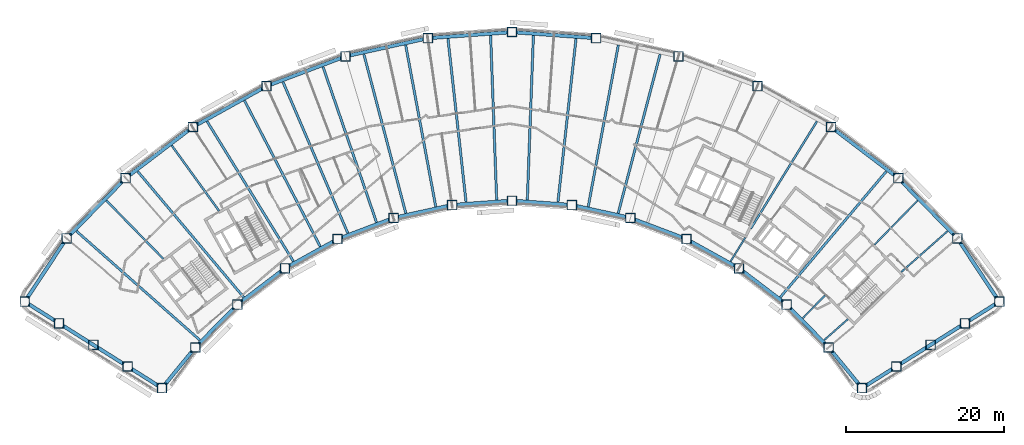
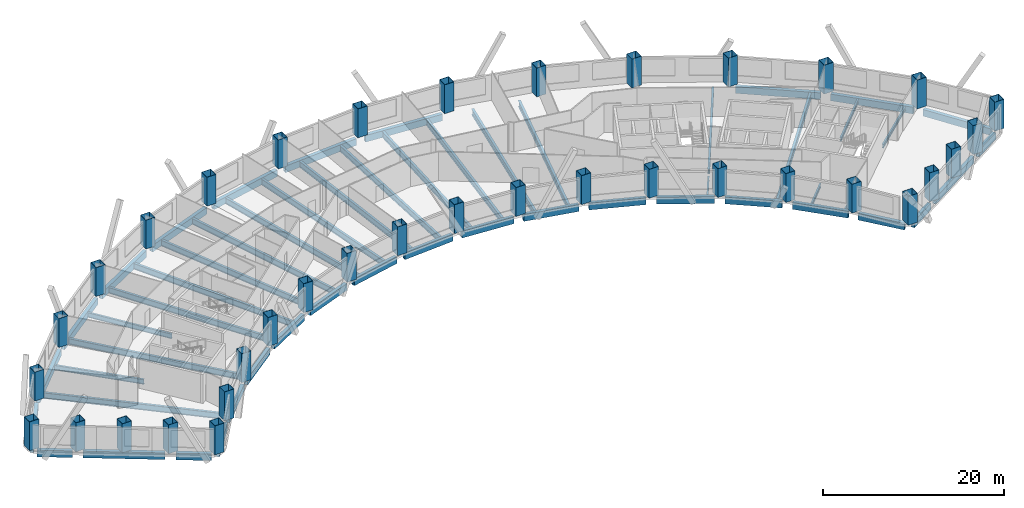
# One storey, part 1 of 12: 54 beams, 36 columns.
"""IFC4 building model written with IfcOpenShell, lengths in metres."""

from ifc_helpers import new_model, si_unit, direction, frame, origin, origin_2d, place, context, subcontext, project, spatial, hollow_rectangle, i_section, extrude, material, material_profile, profile_set, type_object, element, save


model = new_model("IFC4")

# Units and contexts
model_context = context("Model", 3, precision=1e-05, world=origin(), true_north=direction((0.0, 1.0)))
body_context = subcontext(model_context, "Body", "Model", "MODEL_VIEW")
ifc_project = project(units=[si_unit("LENGTHUNIT", "METRE"), si_unit("AREAUNIT", "SQUARE_METRE"), si_unit("VOLUMEUNIT", "CUBIC_METRE"), si_unit("PLANEANGLEUNIT", "RADIAN"), si_unit("MASSUNIT", "GRAM", prefix="KILO")], contexts=[model_context])

# Site, building, storey
site_placement = place(None, origin())
site = spatial("IfcSite", under=ifc_project, at=site_placement, CompositionType="ELEMENT")
building_placement = place(site_placement, origin())
building = spatial("IfcBuilding", under=site, at=building_placement, Name="Tuul Gate Civic Tower", CompositionType="ELEMENT")
storey_placement = place(building_placement, frame((0.0, 0.0, 82.199951171875)))
storey = spatial("IfcBuildingStorey", under=building, at=storey_placement, Name="Level 18", CompositionType="ELEMENT", Elevation=82.199951171875)

# Columns
ifc_material_1 = material(Name="Steel S355", Category="steel")
ifc_material_profile_1 = material_profile(ifc_material_1, hollow_rectangle(XDim=1.199951171875, YDim=1.199951171875, WallThickness=0.0400390625, at=origin_2d()), Name="BOX1200x1200x40")
ifc_profile_set_1 = profile_set([ifc_material_profile_1], Name="Steel S355")
column_type = type_object("IfcColumnType", Name="STR-COLUMN-BOX1200x1200x40", PredefinedType="COLUMN", material=ifc_profile_set_1)
for number, where, z_axis, x_axis, name in (
    (1, (66.47900390625, -15.4208984375, 0.0), (0.0, 0.0, 1.0), (1.0, 0.0, 0.0), "Column"),
    (2, (61.179931640625, -7.408935546875, 0.0), (0.0, 0.0, 1.0), (1.0, 0.0, 0.0), "Column"),
    (3, (53.7060546875, 0.216064453125, 0.0), (0.0, 0.0, 1.0), (1.0, 0.0, 0.0), "Column"),
    (4, (45.2109375, 6.68408203125, 0.0), (0.0, 0.0, 1.0), (1.0, 0.0, 0.0), "Column"),
    (5, (35.8720703125, 11.861083984375, 0.0), (0.0, 0.0, 1.0), (1.0, 0.0, 0.0), "Column"),
    (6, (25.885009765625, 15.636962890625, 0.0), (0.0, 0.0, 1.0), (1.0, 0.0, 0.0), "Column"),
    (7, (15.4580078125, 17.93505859375, 0.0), (0.0, 0.0, 1.0), (1.0, 0.0, 0.0), "Column"),
    (8, (4.80810546875, 18.70703125, 0.0), (0.0, 0.0, 1.0), (1.0, 0.0, 0.0), "Column"),
    (9, (-5.841064453125, 17.93505859375, 0.0), (0.0, 0.0, 1.0), (1.0, 0.0, 0.0), "Column"),
    (10, (-16.26806640625, 15.636962890625, 0.0), (0.0, 0.0, 1.0), (1.0, 0.0, 0.0), "Column"),
    (11, (-26.2548828125, 11.861083984375, 0.0), (0.0, 0.0, 1.0), (1.0, 0.0, 0.0), "Column"),
    (12, (-35.593994140625, 6.68408203125, 0.0), (0.0, 0.0, 1.0), (1.0, 0.0, 0.0), "Column"),
    (13, (-44.089111328125, 0.216064453125, 0.0), (0.0, 0.0, 1.0), (1.0, 0.0, 0.0), "Column"),
    (14, (-51.56396484375, -7.408935546875, 0.0), (0.0, 0.0, 1.0), (1.0, 0.0, 0.0), "Column"),
    (15, (-56.863037109375, -15.4208984375, 0.0), (0.0, 0.0, 1.0), (1.0, 0.0, 0.0), "Column"),
    (16, (-52.52001953125, -18.156005859375, 0.0), (0.0, 0.0, 1.0), (1.0, 0.0, 0.0), "Column"),
    (17, (-48.177978515625, -20.89111328125, 0.0), (0.0, 0.0, 1.0), (1.0, 0.0, 0.0), "Column"),
    (18, (-43.8349609375, -23.625, 0.0), (0.0, 0.0, 1.0), (1.0, 0.0, 0.0), "Column"),
    (19, (-39.492919921875, -26.360107421875, 0.0), (0.0, 0.0, 1.0), (1.0, 0.0, 0.0), "Column"),
    (20, (-35.27294921875, -21.218017578125, 0.0), (0.0, 0.0, 1.0), (1.0, 0.0, 0.0), "Column"),
    (21, (-29.9580078125, -15.7958984375, 0.0), (0.0, 0.0, 1.0), (1.0, 0.0, 0.0), "Column"),
    (22, (-23.91796875, -11.197021484375, 0.0), (0.0, 0.0, 1.0), (1.0, 0.0, 0.0), "Column"),
    (23, (-17.278076171875, -7.51708984375, 0.0), (0.0, 0.0, 1.0), (1.0, 0.0, 0.0), "Column"),
    (24, (-10.177001953125, -4.8310546875, 0.0), (0.0, 0.0, 1.0), (1.0, 0.0, 0.0), "Column"),
    (25, (-2.763916015625, -3.197998046875, 0.0), (0.0, 0.0, 1.0), (1.0, 0.0, 0.0), "Column"),
    (26, (4.80810546875, -2.64892578125, 0.0), (0.0, 0.0, 1.0), (1.0, 0.0, 0.0), "Column"),
    (27, (12.3798828125, -3.197998046875, 0.0), (0.0, 0.0, 1.0), (1.0, 0.0, 0.0), "Column"),
    (28, (19.7939453125, -4.8310546875, 0.0), (0.0, 0.0, 1.0), (1.0, 0.0, 0.0), "Column"),
    (29, (26.89501953125, -7.51708984375, 0.0), (0.0, 0.0, 1.0), (1.0, 0.0, 0.0), "Column"),
    (30, (33.534912109375, -11.197021484375, 0.0), (0.0, 0.0, 1.0), (1.0, 0.0, 0.0), "Column"),
    (31, (39.574951171875, -15.7958984375, 0.0), (0.0, 0.0, 1.0), (1.0, 0.0, 0.0), "Column"),
    (32, (44.888916015625, -21.218017578125, 0.0), (0.0, 0.0, 1.0), (1.0, 0.0, 0.0), "Column"),
    (33, (49.10888671875, -26.360107421875, 0.0), (0.0, 0.0, 1.0), (1.0, 0.0, 0.0), "Column"),
    (34, (53.451904296875, -23.625, 0.0), (0.0, 0.0, 1.0), (1.0, 0.0, 0.0), "Column"),
    (35, (57.7939453125, -20.89111328125, 0.0), (0.0, 0.0, 1.0), (1.0, 0.0, 0.0), "Column"),
    (36, (62.136962890625, -18.156005859375, 0.0), (0.0, 0.0, 1.0), (1.0, 0.0, 0.0), "Column"),
):
    element("IfcColumn", number, at=place(storey_placement, frame(where, z_axis=z_axis, x_axis=x_axis)), inside=storey, type_object=column_type, Name=name, PredefinedType="COLUMN", context=body_context, shape_type="SweptSolid", body=[
        extrude(hollow_rectangle(XDim=1.199951171875, YDim=1.199951171875, WallThickness=0.0400390625, at=origin_2d()), origin(), (0.0, 0.0, 1.0), 3.900146484375),
    ])

# Beams
ifc_material_2 = material(Name="Steel S355", Category="steel")
ifc_material_profile_2 = material_profile(ifc_material_2, i_section(OverallWidth=0.199951171875, OverallDepth=0.5, WebThickness=0.010009765625, FlangeThickness=0.01611328125, at=origin_2d()), Name="PG500x200x10x16")
ifc_profile_set_2 = profile_set([ifc_material_profile_2], Name="Steel S355")
beam_type_1 = type_object("IfcBeamType", Name="STR-FLOOR BEAM-PG500x200x10x16", PredefinedType="BEAM", material=ifc_profile_set_2)
beam_1_placement = place(storey_placement, frame((44.323486328125, -20.28369140625, -0.550048828125), z_axis=(0.749461130255, 0.662048347356, 0.0), x_axis=(-0.662048347356, 0.749461130255, 0.0)))
element("IfcBeam", 37, at=beam_1_placement, inside=storey, type_object=beam_type_1, Name="Floor beam", PredefinedType="BEAM", context=body_context, shape_type="SweptSolid", body=[
    extrude(i_section(OverallWidth=0.199951171875, OverallDepth=0.5, WebThickness=0.010009765625, FlangeThickness=0.01611328125, at=origin_2d()), origin(), (0.0, 0.0, 1.0), 4.0107421875),
])
beam_2_placement = place(storey_placement, frame((54.083251953125, -11.661865234375, -0.550048828125), z_axis=(0.749435188798, 0.662077712803, 0.0), x_axis=(-0.662077712803, 0.749435188798, 0.0)))
element("IfcBeam", 38, at=beam_2_placement, inside=storey, type_object=beam_type_1, Name="Floor beam", PredefinedType="BEAM", context=body_context, shape_type="SweptSolid", body=[
    extrude(i_section(OverallWidth=0.199951171875, OverallDepth=0.5, WebThickness=0.010009765625, FlangeThickness=0.01611328125, at=origin_2d()), origin(), (0.0, 0.0, 1.0), 7.8056640625),
])
beam_3_placement = place(storey_placement, frame((41.606201171875, -17.511474609375, -0.550048828125), z_axis=(0.698677872804, 0.71543639134, 0.0), x_axis=(-0.71543639134, 0.698677872804, 0.0)))
element("IfcBeam", 39, at=beam_3_placement, inside=storey, type_object=beam_type_1, Name="Floor beam", PredefinedType="BEAM", context=body_context, shape_type="SweptSolid", body=[
    extrude(i_section(OverallWidth=0.199951171875, OverallDepth=0.5, WebThickness=0.010009765625, FlangeThickness=0.01611328125, at=origin_2d()), origin(), (0.0, 0.0, 1.0), 4.00634765625),
])
beam_4_placement = place(storey_placement, frame((50.69482421875, -8.205078125, -0.550048828125), z_axis=(0.698665360958, 0.715448609893, 0.0), x_axis=(-0.715448609893, 0.698665360958, 0.0)))
element("IfcBeam", 40, at=beam_4_placement, inside=storey, type_object=beam_type_1, Name="Floor beam", PredefinedType="BEAM", context=body_context, shape_type="SweptSolid", body=[
    extrude(i_section(OverallWidth=0.199951171875, OverallDepth=0.5, WebThickness=0.010009765625, FlangeThickness=0.01611328125, at=origin_2d()), origin(), (0.0, 0.0, 1.0), 7.797119140625),
])
beam_5_placement = place(storey_placement, frame((32.47412109375, -10.3232421875, -0.550048828125), z_axis=(0.524881180779, 0.851175508379, 0.0), x_axis=(-0.851175508379, 0.524881180779, 0.0)))
element("IfcBeam", 41, at=beam_5_placement, inside=storey, type_object=beam_type_1, Name="Floor beam", PredefinedType="BEAM", context=body_context, shape_type="SweptSolid", body=[
    extrude(i_section(OverallWidth=0.199951171875, OverallDepth=0.5, WebThickness=0.010009765625, FlangeThickness=0.01611328125, at=origin_2d()), origin(), (0.0, 0.0, 1.0), 3.527099609375),
])
ifc_material_3 = material(Name="Steel S355", Category="steel")
ifc_material_profile_3 = material_profile(ifc_material_3, i_section(OverallWidth=0.25, OverallDepth=0.64990234375, WebThickness=0.011962890625, FlangeThickness=0.02001953125, at=origin_2d()), Name="PG650x250x12x20")
ifc_profile_set_3 = profile_set([ifc_material_profile_3], Name="Steel S355")
beam_type_2 = type_object("IfcBeamType", Name="STR-FLOOR BEAM-PG650x250x12x20", PredefinedType="BEAM", material=ifc_profile_set_3)
beam_6_placement = place(storey_placement, frame((35.022216796875, -6.19091796875, -0.625), z_axis=(0.52485048584, 0.851194435786, 0.0), x_axis=(-0.851194435786, 0.52485048584, 0.0)))
element("IfcBeam", 42, at=beam_6_placement, inside=storey, type_object=beam_type_2, Name="Floor beam", PredefinedType="BEAM", context=body_context, shape_type="SweptSolid", body=[
    extrude(i_section(OverallWidth=0.25, OverallDepth=0.64990234375, WebThickness=0.011962890625, FlangeThickness=0.02001953125, at=origin_2d()), origin(), (0.0, 0.0, 1.0), 15.967529296875),
])
beam_7_placement = place(storey_placement, frame((-32.2705078125, -3.930419921875, -0.625), z_axis=(-0.586085724812, 0.81024905009, 0.0), x_axis=(-0.81024905009, -0.586085724812, 0.0)))
element("IfcBeam", 43, at=beam_7_placement, inside=storey, type_object=beam_type_2, Name="Floor beam", PredefinedType="BEAM", context=body_context, shape_type="SweptSolid", body=[
    extrude(i_section(OverallWidth=0.25, OverallDepth=0.64990234375, WebThickness=0.011962890625, FlangeThickness=0.02001953125, at=origin_2d()), origin(), (0.0, 0.0, 1.0), 10.211669921875),
])
beam_8_placement = place(storey_placement, frame((-39.3271484375, -9.998291015625, -0.625), z_axis=(-0.698680863585, 0.715433470604, 0.0), x_axis=(-0.715433470604, -0.698680863585, 0.0)))
element("IfcBeam", 44, at=beam_8_placement, inside=storey, type_object=beam_type_2, Name="Floor beam", PredefinedType="BEAM", context=body_context, shape_type="SweptSolid", body=[
    extrude(i_section(OverallWidth=0.25, OverallDepth=0.64990234375, WebThickness=0.011962890625, FlangeThickness=0.02001953125, at=origin_2d()), origin(), (0.0, 0.0, 1.0), 10.30322265625),
])
ifc_material_4 = material(Name="Steel S355", Category="steel")
ifc_material_profile_4 = material_profile(ifc_material_4, i_section(OverallWidth=0.300048828125, OverallDepth=0.800048828125, WebThickness=0.013916015625, FlangeThickness=0.02490234375, at=origin_2d()), Name="PG800x300x14x25")
ifc_profile_set_4 = profile_set([ifc_material_profile_4], Name="Steel S355")
beam_type_3 = type_object("IfcBeamType", Name="STR-FLOOR BEAM-PG800x300x14x25", PredefinedType="BEAM", material=ifc_profile_set_4)
beam_9_placement = place(storey_placement, frame((38.76611328125, -14.86572265625, -0.699951171875), z_axis=(0.644123110179, 0.764921838447, 0.0), x_axis=(-0.764921838447, 0.644123110179, 0.0)))
element("IfcBeam", 45, at=beam_9_placement, inside=storey, type_object=beam_type_3, Name="Floor beam", PredefinedType="BEAM", context=body_context, shape_type="SweptSolid", body=[
    extrude(i_section(OverallWidth=0.300048828125, OverallDepth=0.800048828125, WebThickness=0.013916015625, FlangeThickness=0.02490234375, at=origin_2d()), origin(), (0.0, 0.0, 1.0), 20.824951171875),
])
beam_10_placement = place(storey_placement, frame((18.246826171875, -4.234130859375, -0.699951171875), z_axis=(0.255002430405, 0.966940412067, 0.0), x_axis=(-0.966940412067, 0.255002430405, 0.0)))
element("IfcBeam", 46, at=beam_10_placement, inside=storey, type_object=beam_type_3, Name="Floor beam", PredefinedType="BEAM", context=body_context, shape_type="SweptSolid", body=[
    extrude(i_section(OverallWidth=0.300048828125, OverallDepth=0.800048828125, WebThickness=0.013916015625, FlangeThickness=0.02490234375, at=origin_2d()), origin(), (0.0, 0.0, 1.0), 20.81689453125),
])
beam_11_placement = place(storey_placement, frame((14.45654296875, -3.3994140625, -0.699951171875), z_axis=(0.1831360046, 0.983087587054, 0.0), x_axis=(-0.983087587054, 0.1831360046, 0.0)))
element("IfcBeam", 47, at=beam_11_placement, inside=storey, type_object=beam_type_3, Name="Floor beam", PredefinedType="BEAM", context=body_context, shape_type="SweptSolid", body=[
    extrude(i_section(OverallWidth=0.300048828125, OverallDepth=0.800048828125, WebThickness=0.013916015625, FlangeThickness=0.02490234375, at=origin_2d()), origin(), (0.0, 0.0, 1.0), 20.811279296875),
])
beam_12_placement = place(storey_placement, frame((10.619384765625, -2.819580078125, -0.699951171875), z_axis=(0.1102757583, 0.993901029847, 0.0), x_axis=(-0.993901029847, 0.1102757583, 0.0)))
element("IfcBeam", 48, at=beam_12_placement, inside=storey, type_object=beam_type_3, Name="Floor beam", PredefinedType="BEAM", context=body_context, shape_type="SweptSolid", body=[
    extrude(i_section(OverallWidth=0.300048828125, OverallDepth=0.800048828125, WebThickness=0.013916015625, FlangeThickness=0.02490234375, at=origin_2d()), origin(), (0.0, 0.0, 1.0), 20.815185546875),
])
for number, where, z_axis, x_axis, name in (
    (49, (6.74853515625, -2.5390625, -0.699951171875), (0.036832478792, 0.999321454041, 0.0), (-0.999321454041, 0.036832478792, 0.0), "Floor beam"),
    (50, (2.867919921875, -2.5390625, -0.699951171875), (-0.036832478792, 0.999321454041, 0.0), (-0.999321454041, -0.036832478792, 0.0), "Floor beam"),
):
    element("IfcBeam", number, at=place(storey_placement, frame(where, z_axis=z_axis, x_axis=x_axis)), inside=storey, type_object=beam_type_3, Name=name, PredefinedType="BEAM", context=body_context, shape_type="SweptSolid", body=[
        extrude(i_section(OverallWidth=0.300048828125, OverallDepth=0.800048828125, WebThickness=0.013916015625, FlangeThickness=0.02490234375, at=origin_2d()), origin(), (0.0, 0.0, 1.0), 20.813232421875),
    ])
beam_13_placement = place(storey_placement, frame((-1.0029296875, -2.819580078125, -0.699951171875), z_axis=(-0.110287344613, 0.993899744249, 0.0), x_axis=(-0.993899744249, -0.110287344613, 0.0)))
element("IfcBeam", 51, at=beam_13_placement, inside=storey, type_object=beam_type_3, Name="Floor beam", PredefinedType="BEAM", context=body_context, shape_type="SweptSolid", body=[
    extrude(i_section(OverallWidth=0.300048828125, OverallDepth=0.800048828125, WebThickness=0.013916015625, FlangeThickness=0.02490234375, at=origin_2d()), origin(), (0.0, 0.0, 1.0), 20.815185546875),
])
beam_14_placement = place(storey_placement, frame((-4.84033203125, -3.3994140625, -0.699951171875), z_axis=(-0.183138116697, 0.983087193596, 0.0), x_axis=(-0.983087193596, -0.183138116697, 0.0)))
element("IfcBeam", 52, at=beam_14_placement, inside=storey, type_object=beam_type_3, Name="Floor beam", PredefinedType="BEAM", context=body_context, shape_type="SweptSolid", body=[
    extrude(i_section(OverallWidth=0.300048828125, OverallDepth=0.800048828125, WebThickness=0.013916015625, FlangeThickness=0.02490234375, at=origin_2d()), origin(), (0.0, 0.0, 1.0), 20.81103515625),
])
beam_15_placement = place(storey_placement, frame((-8.63037109375, -4.234375, -0.699951171875), z_axis=(-0.255002430405, 0.966940412067, 0.0), x_axis=(-0.966940412067, -0.255002430405, 0.0)))
element("IfcBeam", 53, at=beam_15_placement, inside=storey, type_object=beam_type_3, Name="Floor beam", PredefinedType="BEAM", context=body_context, shape_type="SweptSolid", body=[
    extrude(i_section(OverallWidth=0.300048828125, OverallDepth=0.800048828125, WebThickness=0.013916015625, FlangeThickness=0.02490234375, at=origin_2d()), origin(), (0.0, 0.0, 1.0), 20.81689453125),
])
beam_16_placement = place(storey_placement, frame((-12.337890625, -5.381103515625, -0.699951171875), z_axis=(-0.325490585261, 0.945545281257, 0.0), x_axis=(-0.945545281257, -0.325490585261, 0.0)))
element("IfcBeam", 54, at=beam_16_placement, inside=storey, type_object=beam_type_3, Name="Floor beam", PredefinedType="BEAM", context=body_context, shape_type="SweptSolid", body=[
    extrude(i_section(OverallWidth=0.300048828125, OverallDepth=0.800048828125, WebThickness=0.013916015625, FlangeThickness=0.02490234375, at=origin_2d()), origin(), (0.0, 0.0, 1.0), 20.80908203125),
])
beam_17_placement = place(storey_placement, frame((-15.968017578125, -6.754150390625, -0.699951171875), z_axis=(-0.39421223202, 0.919019431854, 0.0), x_axis=(-0.919019431854, -0.39421223202, 0.0)))
element("IfcBeam", 55, at=beam_17_placement, inside=storey, type_object=beam_type_3, Name="Floor beam", PredefinedType="BEAM", context=body_context, shape_type="SweptSolid", body=[
    extrude(i_section(OverallWidth=0.300048828125, OverallDepth=0.800048828125, WebThickness=0.013916015625, FlangeThickness=0.02490234375, at=origin_2d()), origin(), (0.0, 0.0, 1.0), 20.820068359375),
])
beam_18_placement = place(storey_placement, frame((-19.462890625, -8.442138671875, -0.699951171875), z_axis=(-0.460776704907, 0.887516100257, 0.0), x_axis=(-0.887516100257, -0.460776704907, 0.0)))
element("IfcBeam", 56, at=beam_18_placement, inside=storey, type_object=beam_type_3, Name="Floor beam", PredefinedType="BEAM", context=body_context, shape_type="SweptSolid", body=[
    extrude(i_section(OverallWidth=0.300048828125, OverallDepth=0.800048828125, WebThickness=0.013916015625, FlangeThickness=0.02490234375, at=origin_2d()), origin(), (0.0, 0.0, 1.0), 20.80810546875),
])
beam_19_placement = place(storey_placement, frame((-22.857666015625, -10.323486328125, -0.699951171875), z_axis=(-0.524858688135, 0.851189378158, 0.0), x_axis=(-0.851189378158, -0.524858688135, 0.0)))
element("IfcBeam", 57, at=beam_19_placement, inside=storey, type_object=beam_type_3, Name="Floor beam", PredefinedType="BEAM", context=body_context, shape_type="SweptSolid", body=[
    extrude(i_section(OverallWidth=0.300048828125, OverallDepth=0.800048828125, WebThickness=0.013916015625, FlangeThickness=0.02490234375, at=origin_2d()), origin(), (0.0, 0.0, 1.0), 20.822265625),
])
beam_20_placement = place(storey_placement, frame((-29.1494140625, -14.8662109375, -0.699951171875), z_axis=(-0.644129969572, 0.764916062257, 0.0), x_axis=(-0.764916062257, -0.644129969572, 0.0)))
element("IfcBeam", 58, at=beam_20_placement, inside=storey, type_object=beam_type_3, Name="Floor beam", PredefinedType="BEAM", context=body_context, shape_type="SweptSolid", body=[
    extrude(i_section(OverallWidth=0.300048828125, OverallDepth=0.800048828125, WebThickness=0.013916015625, FlangeThickness=0.02490234375, at=origin_2d()), origin(), (0.0, 0.0, 1.0), 20.8251953125),
])
beam_21_placement = place(storey_placement, frame((-34.707275390625, -20.28369140625, -0.699951171875), z_axis=(-0.749442289346, 0.662069675291, 0.0), x_axis=(-0.662069675291, -0.749442289346, 0.0)))
element("IfcBeam", 59, at=beam_21_placement, inside=storey, type_object=beam_type_3, Name="Floor beam", PredefinedType="BEAM", context=body_context, shape_type="SweptSolid", body=[
    extrude(i_section(OverallWidth=0.300048828125, OverallDepth=0.800048828125, WebThickness=0.013916015625, FlangeThickness=0.02490234375, at=origin_2d()), origin(), (0.0, 0.0, 1.0), 20.828369140625),
])
ifc_material_5 = material(Name="Steel S355", Category="steel")
ifc_material_profile_5 = material_profile(ifc_material_5, hollow_rectangle(XDim=0.449951171875, YDim=0.89990234375, WallThickness=0.02490234375, at=origin_2d()), Name="BOX900x450x25")
ifc_profile_set_5 = profile_set([ifc_material_profile_5], Name="Steel S355")
beam_type_4 = type_object("IfcBeamType", Name="STR-SPANDREL BEAM-BOX900x450x25", PredefinedType="BEAM", material=ifc_profile_set_5)
beam_22_placement = place(storey_placement, frame((66.14794921875, -14.920654296875, -0.75), z_axis=(-0.551633408665, 0.834086675619, 0.0), x_axis=(-0.834086675619, -0.551633408665, 0.0)))
element("IfcBeam", 60, at=beam_22_placement, inside=storey, type_object=beam_type_4, Name="Spandrel beam", PredefinedType="BEAM", context=body_context, shape_type="SweptSolid", body=[
    extrude(hollow_rectangle(XDim=0.449951171875, YDim=0.89990234375, WallThickness=0.02490234375, at=origin_2d()), origin(), (0.0, 0.0, 1.0), 8.40576171875),
])
beam_23_placement = place(storey_placement, frame((60.760009765625, -6.98046875, -0.75), z_axis=(-0.700000063817, 0.714142780301, 0.0), x_axis=(-0.714142780301, -0.700000063817, 0.0)))
element("IfcBeam", 61, at=beam_23_placement, inside=storey, type_object=beam_type_4, Name="Spandrel beam", PredefinedType="BEAM", context=body_context, shape_type="SweptSolid", body=[
    extrude(hollow_rectangle(XDim=0.449951171875, YDim=0.89990234375, WallThickness=0.02490234375, at=origin_2d()), origin(), (0.0, 0.0, 1.0), 9.477294921875),
])
beam_24_placement = place(storey_placement, frame((53.228515625, 0.57958984375, -0.75), z_axis=(-0.795626241327, 0.605787821033, 0.0), x_axis=(-0.605787821033, -0.795626241327, 0.0)))
element("IfcBeam", 62, at=beam_24_placement, inside=storey, type_object=beam_type_4, Name="Spandrel beam", PredefinedType="BEAM", context=body_context, shape_type="SweptSolid", body=[
    extrude(hollow_rectangle(XDim=0.449951171875, YDim=0.89990234375, WallThickness=0.02490234375, at=origin_2d()), origin(), (0.0, 0.0, 1.0), 9.476806640625),
])
beam_25_placement = place(storey_placement, frame((14.859619140625, 17.978271484375, -0.75), z_axis=(-0.997382561925, 0.07230508397, 0.0), x_axis=(-0.07230508397, -0.997382561925, 0.0)))
element("IfcBeam", 63, at=beam_25_placement, inside=storey, type_object=beam_type_4, Name="Spandrel beam", PredefinedType="BEAM", context=body_context, shape_type="SweptSolid", body=[
    extrude(hollow_rectangle(XDim=0.449951171875, YDim=0.89990234375, WallThickness=0.02490234375, at=origin_2d()), origin(), (0.0, 0.0, 1.0), 9.47802734375),
])
beam_26_placement = place(storey_placement, frame((4.20947265625, 18.66357421875, -0.75), z_axis=(-0.99738202317, -0.072312515214, 0.0), x_axis=(0.072312515214, -0.99738202317, 0.0)))
element("IfcBeam", 64, at=beam_26_placement, inside=storey, type_object=beam_type_4, Name="Spandrel beam", PredefinedType="BEAM", context=body_context, shape_type="SweptSolid", body=[
    extrude(hollow_rectangle(XDim=0.449951171875, YDim=0.89990234375, WallThickness=0.02490234375, at=origin_2d()), origin(), (0.0, 0.0, 1.0), 9.47705078125),
])
beam_27_placement = place(storey_placement, frame((-6.427001953125, 17.805908203125, -0.75), z_axis=(-0.97656320303, -0.215230830708, 0.0), x_axis=(0.215230830708, -0.97656320303, 0.0)))
element("IfcBeam", 65, at=beam_27_placement, inside=storey, type_object=beam_type_4, Name="Spandrel beam", PredefinedType="BEAM", context=body_context, shape_type="SweptSolid", body=[
    extrude(hollow_rectangle(XDim=0.449951171875, YDim=0.89990234375, WallThickness=0.02490234375, at=origin_2d()), origin(), (0.0, 0.0, 1.0), 9.477294921875),
])
beam_28_placement = place(storey_placement, frame((-16.829345703125, 15.4248046875, -0.75), z_axis=(-0.935376104649, -0.353654552993, 0.0), x_axis=(0.353654552993, -0.935376104649, 0.0)))
element("IfcBeam", 66, at=beam_28_placement, inside=storey, type_object=beam_type_4, Name="Spandrel beam", PredefinedType="BEAM", context=body_context, shape_type="SweptSolid", body=[
    extrude(hollow_rectangle(XDim=0.449951171875, YDim=0.89990234375, WallThickness=0.02490234375, at=origin_2d()), origin(), (0.0, 0.0, 1.0), 9.47705078125),
])
beam_29_placement = place(storey_placement, frame((-26.77978515625, 11.570068359375, -0.75), z_axis=(-0.874608888761, -0.484829136604, 0.0), x_axis=(0.484829136604, -0.874608888761, 0.0)))
element("IfcBeam", 67, at=beam_29_placement, inside=storey, type_object=beam_type_4, Name="Spandrel beam", PredefinedType="BEAM", context=body_context, shape_type="SweptSolid", body=[
    extrude(hollow_rectangle(XDim=0.449951171875, YDim=0.89990234375, WallThickness=0.02490234375, at=origin_2d()), origin(), (0.0, 0.0, 1.0), 9.47802734375),
])
beam_30_placement = place(storey_placement, frame((-36.0712890625, 6.320556640625, -0.75), z_axis=(-0.795635695058, -0.605775404543, 0.0), x_axis=(0.605775404543, -0.795635695058, 0.0)))
element("IfcBeam", 68, at=beam_30_placement, inside=storey, type_object=beam_type_4, Name="Spandrel beam", PredefinedType="BEAM", context=body_context, shape_type="SweptSolid", body=[
    extrude(hollow_rectangle(XDim=0.449951171875, YDim=0.89990234375, WallThickness=0.02490234375, at=origin_2d()), origin(), (0.0, 0.0, 1.0), 9.47705078125),
])
beam_31_placement = place(storey_placement, frame((-44.509033203125, -0.21240234375, -0.75), z_axis=(-0.700052610293, -0.714091270653, 0.0), x_axis=(0.714091270653, -0.700052610293, 0.0)))
element("IfcBeam", 69, at=beam_31_placement, inside=storey, type_object=beam_type_4, Name="Spandrel beam", PredefinedType="BEAM", context=body_context, shape_type="SweptSolid", body=[
    extrude(hollow_rectangle(XDim=0.449951171875, YDim=0.89990234375, WallThickness=0.02490234375, at=origin_2d()), origin(), (0.0, 0.0, 1.0), 9.477783203125),
])
beam_32_placement = place(storey_placement, frame((-51.89501953125, -7.909423828125, -0.75), z_axis=(-0.551633408665, -0.834086675619, 0.0), x_axis=(0.834086675619, -0.551633408665, 0.0)))
element("IfcBeam", 70, at=beam_32_placement, inside=storey, type_object=beam_type_4, Name="Spandrel beam", PredefinedType="BEAM", context=body_context, shape_type="SweptSolid", body=[
    extrude(hollow_rectangle(XDim=0.449951171875, YDim=0.89990234375, WallThickness=0.02490234375, at=origin_2d()), origin(), (0.0, 0.0, 1.0), 8.40576171875),
])
beam_33_placement = place(storey_placement, frame((-56.355224609375, -15.74072265625, -0.75), z_axis=(0.846183069254, -0.532892309297, 0.0), x_axis=(0.532892309297, 0.846183069254, 0.0)))
element("IfcBeam", 71, at=beam_33_placement, inside=storey, type_object=beam_type_4, Name="Spandrel beam", PredefinedType="BEAM", context=body_context, shape_type="SweptSolid", body=[
    extrude(hollow_rectangle(XDim=0.449951171875, YDim=0.89990234375, WallThickness=0.02490234375, at=origin_2d()), origin(), (0.0, 0.0, 1.0), 3.93212890625),
])
beam_34_placement = place(storey_placement, frame((-52.01220703125, -18.475830078125, -0.75), z_axis=(0.846210797287, -0.532848277237, 0.0), x_axis=(0.532848277237, 0.846210797287, 0.0)))
element("IfcBeam", 72, at=beam_34_placement, inside=storey, type_object=beam_type_4, Name="Spandrel beam", PredefinedType="BEAM", context=body_context, shape_type="SweptSolid", body=[
    extrude(hollow_rectangle(XDim=0.449951171875, YDim=0.89990234375, WallThickness=0.02490234375, at=origin_2d()), origin(), (0.0, 0.0, 1.0), 9.063232421875),
])
beam_35_placement = place(storey_placement, frame((-43.327392578125, -23.94482421875, -0.75), z_axis=(0.846130163467, -0.532976309484, 0.0), x_axis=(0.532976309484, 0.846130163467, 0.0)))
element("IfcBeam", 73, at=beam_35_placement, inside=storey, type_object=beam_type_4, Name="Spandrel beam", PredefinedType="BEAM", context=body_context, shape_type="SweptSolid", body=[
    extrude(hollow_rectangle(XDim=0.449951171875, YDim=0.89990234375, WallThickness=0.02490234375, at=origin_2d()), origin(), (0.0, 0.0, 1.0), 3.931640625),
])
beam_36_placement = place(storey_placement, frame((-39.1123046875, -25.896240234375, -0.75), z_axis=(0.634405130356, 0.773000731292, 0.0), x_axis=(-0.773000731292, 0.634405130356, 0.0)))
element("IfcBeam", 74, at=beam_36_placement, inside=storey, type_object=beam_type_4, Name="Spandrel beam", PredefinedType="BEAM", context=body_context, shape_type="SweptSolid", body=[
    extrude(hollow_rectangle(XDim=0.449951171875, YDim=0.89990234375, WallThickness=0.02490234375, at=origin_2d()), origin(), (0.0, 0.0, 1.0), 5.451904296875),
])
beam_37_placement = place(storey_placement, frame((-34.85302734375, -20.78955078125, -0.75), z_axis=(0.70002559028, 0.714117758464, 0.0), x_axis=(-0.714117758464, 0.70002559028, 0.0)))
element("IfcBeam", 75, at=beam_37_placement, inside=storey, type_object=beam_type_4, Name="Spandrel beam", PredefinedType="BEAM", context=body_context, shape_type="SweptSolid", body=[
    extrude(hollow_rectangle(XDim=0.449951171875, YDim=0.89990234375, WallThickness=0.02490234375, at=origin_2d()), origin(), (0.0, 0.0, 1.0), 6.392822265625),
])
for number, where, z_axis, x_axis, name in (
    (76, (-29.480712890625, -15.4326171875, -0.75), (0.79562457822, 0.605790005308, 0.0), (-0.605790005308, 0.79562457822, 0.0), "Spandrel beam"),
    (77, (-23.393310546875, -10.90625, -0.75), (0.87465408875, 0.484747588992, 0.0), (-0.484747588992, 0.87465408875, 0.0), "Spandrel beam"),
    (78, (-16.716796875, -7.3046875, -0.75), (0.9353207628, 0.353800891286, 0.0), (-0.353800891286, 0.9353207628, 0.0), "Spandrel beam"),
):
    element("IfcBeam", number, at=place(storey_placement, frame(where, z_axis=z_axis, x_axis=x_axis)), inside=storey, type_object=beam_type_4, Name=name, PredefinedType="BEAM", context=body_context, shape_type="SweptSolid", body=[
        extrude(hollow_rectangle(XDim=0.449951171875, YDim=0.89990234375, WallThickness=0.02490234375, at=origin_2d()), origin(), (0.0, 0.0, 1.0), 6.391845703125),
    ])
beam_38_placement = place(storey_placement, frame((-9.591064453125, -4.701904296875, -0.75), z_axis=(0.976588960757, 0.215113927321, 0.0), x_axis=(-0.215113927321, 0.976588960757, 0.0)))
element("IfcBeam", 79, at=beam_38_placement, inside=storey, type_object=beam_type_4, Name="Spandrel beam", PredefinedType="BEAM", context=body_context, shape_type="SweptSolid", body=[
    extrude(hollow_rectangle(XDim=0.449951171875, YDim=0.89990234375, WallThickness=0.02490234375, at=origin_2d()), origin(), (0.0, 0.0, 1.0), 6.390869140625),
])
for number, where, z_axis, x_axis, name in (
    (80, (-2.16552734375, -3.154541015625, -0.75), (0.997382520948, 0.072305649209, 0.0), (-0.072305649209, 0.997382520948, 0.0), "Spandrel beam"),
    (81, (5.406494140625, -2.6923828125, -0.75), (0.997382520948, -0.072305649209, 0.0), (0.072305649209, 0.997382520948, 0.0), "Spandrel beam"),
):
    element("IfcBeam", number, at=place(storey_placement, frame(where, z_axis=z_axis, x_axis=x_axis)), inside=storey, type_object=beam_type_4, Name=name, PredefinedType="BEAM", context=body_context, shape_type="SweptSolid", body=[
        extrude(hollow_rectangle(XDim=0.449951171875, YDim=0.89990234375, WallThickness=0.02490234375, at=origin_2d()), origin(), (0.0, 0.0, 1.0), 6.391845703125),
    ])
beam_39_placement = place(storey_placement, frame((12.966064453125, -3.3271484375, -0.75), z_axis=(0.976594263107, -0.215089853935, 0.0), x_axis=(0.215089853935, 0.976594263107, 0.0)))
element("IfcBeam", 82, at=beam_39_placement, inside=storey, type_object=beam_type_4, Name="Spandrel beam", PredefinedType="BEAM", context=body_context, shape_type="SweptSolid", body=[
    extrude(hollow_rectangle(XDim=0.449951171875, YDim=0.89990234375, WallThickness=0.02490234375, at=origin_2d()), origin(), (0.0, 0.0, 1.0), 6.3916015625),
])
for number, where, z_axis, x_axis, name in (
    (83, (20.355224609375, -5.043212890625, -0.75), (0.9353207628, -0.353800891286, 0.0), (0.353800891286, 0.9353207628, 0.0), "Spandrel beam"),
    (84, (27.419677734375, -7.807861328125, -0.75), (0.87465408875, -0.484747588992, 0.0), (0.484747588992, 0.87465408875, 0.0), "Spandrel beam"),
):
    element("IfcBeam", number, at=place(storey_placement, frame(where, z_axis=z_axis, x_axis=x_axis)), inside=storey, type_object=beam_type_4, Name=name, PredefinedType="BEAM", context=body_context, shape_type="SweptSolid", body=[
        extrude(hollow_rectangle(XDim=0.449951171875, YDim=0.89990234375, WallThickness=0.02490234375, at=origin_2d()), origin(), (0.0, 0.0, 1.0), 6.391845703125),
    ])
beam_40_placement = place(storey_placement, frame((34.012451171875, -11.560546875, -0.75), z_axis=(0.795610560321, -0.605808415512, 0.0), x_axis=(0.605808415512, 0.795610560321, 0.0)))
element("IfcBeam", 85, at=beam_40_placement, inside=storey, type_object=beam_type_4, Name="Spandrel beam", PredefinedType="BEAM", context=body_context, shape_type="SweptSolid", body=[
    extrude(hollow_rectangle(XDim=0.449951171875, YDim=0.89990234375, WallThickness=0.02490234375, at=origin_2d()), origin(), (0.0, 0.0, 1.0), 6.3916015625),
])
beam_41_placement = place(storey_placement, frame((39.994873046875, -16.224609375, -0.75), z_axis=(0.699966768849, -0.714175414381, 0.0), x_axis=(0.714175414381, 0.699966768849, 0.0)))
element("IfcBeam", 86, at=beam_41_placement, inside=storey, type_object=beam_type_4, Name="Spandrel beam", PredefinedType="BEAM", context=body_context, shape_type="SweptSolid", body=[
    extrude(hollow_rectangle(XDim=0.449951171875, YDim=0.89990234375, WallThickness=0.02490234375, at=origin_2d()), origin(), (0.0, 0.0, 1.0), 6.391845703125),
])
beam_42_placement = place(storey_placement, frame((45.26953125, -21.681884765625, -0.75), z_axis=(0.634405130356, -0.773000731292, 0.0), x_axis=(0.773000731292, 0.634405130356, 0.0)))
element("IfcBeam", 87, at=beam_42_placement, inside=storey, type_object=beam_type_4, Name="Spandrel beam", PredefinedType="BEAM", context=body_context, shape_type="SweptSolid", body=[
    extrude(hollow_rectangle(XDim=0.449951171875, YDim=0.89990234375, WallThickness=0.02490234375, at=origin_2d()), origin(), (0.0, 0.0, 1.0), 5.451904296875),
])
beam_43_placement = place(storey_placement, frame((49.61669921875, -26.040283203125, -0.75), z_axis=(0.846200698958, 0.532864313951, 0.0), x_axis=(-0.532864313951, 0.846200698958, 0.0)))
element("IfcBeam", 88, at=beam_43_placement, inside=storey, type_object=beam_type_4, Name="Spandrel beam", PredefinedType="BEAM", context=body_context, shape_type="SweptSolid", body=[
    extrude(hollow_rectangle(XDim=0.449951171875, YDim=0.89990234375, WallThickness=0.02490234375, at=origin_2d()), origin(), (0.0, 0.0, 1.0), 3.932373046875),
])
beam_44_placement = place(storey_placement, frame((53.959716796875, -23.30517578125, -0.75), z_axis=(0.846218445282, 0.532836131343, 0.0), x_axis=(-0.532836131343, 0.846218445282, 0.0)))
element("IfcBeam", 89, at=beam_44_placement, inside=storey, type_object=beam_type_4, Name="Spandrel beam", PredefinedType="BEAM", context=body_context, shape_type="SweptSolid", body=[
    extrude(hollow_rectangle(XDim=0.449951171875, YDim=0.89990234375, WallThickness=0.02490234375, at=origin_2d()), origin(), (0.0, 0.0, 1.0), 9.0634765625),
])
beam_45_placement = place(storey_placement, frame((62.644775390625, -17.836181640625, -0.75), z_axis=(0.846130163467, 0.532976309484, 0.0), x_axis=(-0.532976309484, 0.846130163467, 0.0)))
element("IfcBeam", 90, at=beam_45_placement, inside=storey, type_object=beam_type_4, Name="Spandrel beam", PredefinedType="BEAM", context=body_context, shape_type="SweptSolid", body=[
    extrude(hollow_rectangle(XDim=0.449951171875, YDim=0.89990234375, WallThickness=0.02490234375, at=origin_2d()), origin(), (0.0, 0.0, 1.0), 3.931640625),
])

save(model, "model.ifc")
